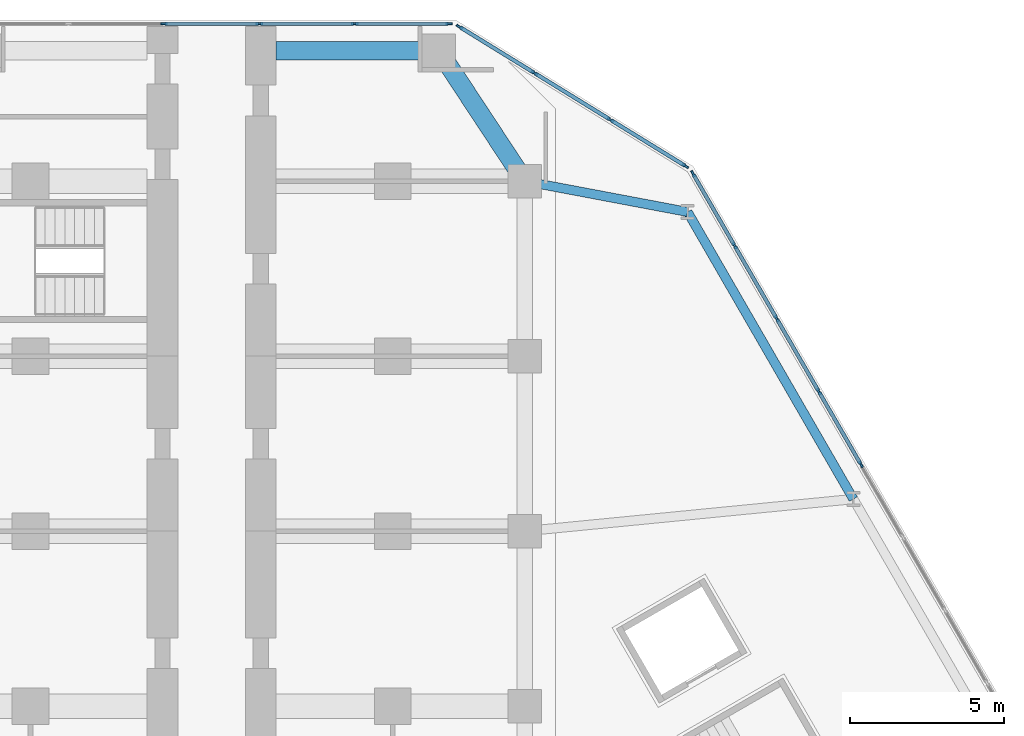
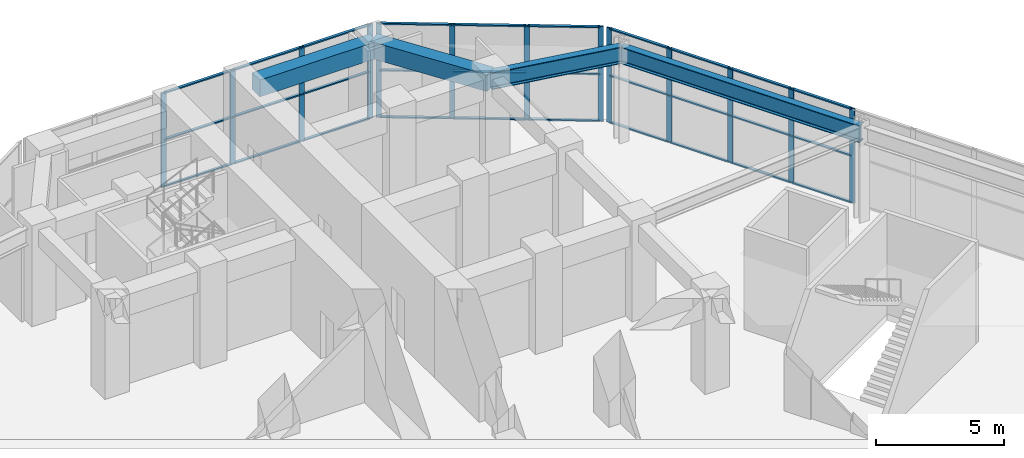
# One storey, part 10 of 21: 43 members, 4 beams, 3 elements without a shape of their own.
"""IFC4 building model written with IfcOpenShell, lengths in metres."""

from ifc_helpers import new_model, si_unit, direction, frame, origin, origin_2d, place, context, subcontext, project, spatial, rectangle, i_section, extrude, material, material_profile, profile_set, type_object, element, aggregate, save


model = new_model("IFC4")

# Units and contexts
model_context = context("Model", 3, precision=1e-05, world=origin(), true_north=direction((0.0, 1.0)))
body_context = subcontext(model_context, "Body", "Model", "MODEL_VIEW")
ifc_project = project(units=[si_unit("LENGTHUNIT", "METRE"), si_unit("AREAUNIT", "SQUARE_METRE"), si_unit("VOLUMEUNIT", "CUBIC_METRE"), si_unit("PLANEANGLEUNIT", "RADIAN"), si_unit("MASSUNIT", "GRAM", prefix="KILO")], contexts=[model_context])

# Site, building, storey
site_placement = place(None, origin())
site = spatial("IfcSite", under=ifc_project, at=site_placement, CompositionType="ELEMENT")
building_placement = place(site_placement, origin())
building = spatial("IfcBuilding", under=site, at=building_placement, Name="Kosmar Iwan School Tower", CompositionType="ELEMENT")
storey_placement = place(building_placement, frame((0.0, 0.0, 6.0)))
storey = spatial("IfcBuildingStorey", under=building, at=storey_placement, Name="L01", CompositionType="ELEMENT", Elevation=6.0)

# Beams
ifc_material_1 = material(Name="Steel S355", Category="steel")
ifc_material_profile_1 = material_profile(ifc_material_1, i_section(OverallWidth=0.300048828125, OverallDepth=0.800048828125, WebThickness=0.017578125, FlangeThickness=0.032958984375, FilletRadius=0.030029296875, at=origin_2d()), Name="HE 800 B")
ifc_profile_set_1 = profile_set([ifc_material_profile_1], Name="Steel S355")
beam_type_1 = type_object("IfcBeamType", Name="Infill edge beam HE 800 B", PredefinedType="BEAM", material=ifc_profile_set_1)
beam_1_placement = place(storey_placement, frame((10.199951171875, 29.35009765625, 4.10009765625), z_axis=(0.982642984394, -0.185506779446, 0.0), x_axis=(0.185506779446, 0.982642984394, 0.0)))
element("IfcBeam", 1, at=beam_1_placement, inside=storey, type_object=beam_type_1, Name="Infill edge beam AC1", PredefinedType="BEAM", context=body_context, shape_type="SweptSolid", body=[
    extrude(i_section(OverallWidth=0.300048828125, OverallDepth=0.800048828125, WebThickness=0.017578125, FlangeThickness=0.032958984375, FilletRadius=0.030029296875, at=origin_2d()), origin(), (0.0, 0.0, 1.0), 5.39599609375),
])
beam_2_placement = place(storey_placement, frame((15.502197265625, 28.34912109375, 4.10009765625), z_axis=(0.500012057535, -0.866018442252, 0.0), x_axis=(0.866018442252, 0.500012057535, 0.0)))
element("IfcBeam", 2, at=beam_2_placement, inside=storey, type_object=beam_type_1, Name="Infill edge beam AC2", PredefinedType="BEAM", context=body_context, shape_type="SweptSolid", body=[
    extrude(i_section(OverallWidth=0.300048828125, OverallDepth=0.800048828125, WebThickness=0.017578125, FlangeThickness=0.032958984375, FilletRadius=0.030029296875, at=origin_2d()), origin(), (0.0, 0.0, 1.0), 10.800048828125),
])

# Curtain wall, members
ifc_material_2 = material(Name="Dark glass in black aluminium frame", Category="aluminium")
curtain_wall_type_1 = type_object("IfcCurtainWallType", Name="Podium curtain wall", PredefinedType="USERDEFINED", material=ifc_material_2)
curtain_wall_1_placement = place(storey_placement, origin())
curtain_wall_1 = element("IfcCurtainWall", 3, at=curtain_wall_1_placement, inside=storey, type_object=curtain_wall_type_1, Name="Curtain wall L01-F04", ObjectType="STICK CURTAIN WALL", PredefinedType="USERDEFINED")
ifc_material_3 = material(Name="Black anodised aluminium", Category="aluminium")
ifc_material_profile_2 = material_profile(ifc_material_3, rectangle(XDim=0.06494140625, YDim=0.219970703125, at=origin_2d()), Name="MULLION 65x220")
ifc_profile_set_2 = profile_set([ifc_material_profile_2], Name="Black anodised aluminium")
member_type_1 = type_object("IfcMemberType", Name="Podium mullion 65x220", PredefinedType="MULLION", material=ifc_profile_set_2)
member_1_placement = place(storey_placement, frame((21.14697265625, 20.12255859375, 0.0), z_axis=(0.0, 0.0, 1.0), x_axis=(-0.866025390869, -0.50000002237, 0.0)))
member_1 = element("IfcMember", 4, at=member_1_placement, type_object=member_type_1, Name="CW3 mullion 10", PredefinedType="MULLION", context=body_context, shape_type="SweptSolid", body=[
    extrude(rectangle(XDim=0.06494140625, YDim=0.219970703125, at=origin_2d()), origin(), (0.0, 0.0, 1.0), 4.5),
])
member_2_placement = place(storey_placement, frame((19.776123046875, 22.49658203125, 0.0), z_axis=(0.0, 0.0, 1.0), x_axis=(-0.866025390869, -0.50000002237, 0.0)))
member_2 = element("IfcMember", 5, at=member_2_placement, type_object=member_type_1, Name="CW3 mullion 11", PredefinedType="MULLION", context=body_context, shape_type="SweptSolid", body=[
    extrude(rectangle(XDim=0.06494140625, YDim=0.219970703125, at=origin_2d()), origin(), (0.0, 0.0, 1.0), 4.5),
])
member_3_placement = place(storey_placement, frame((18.405517578125, 24.87060546875, 0.0), z_axis=(0.0, 0.0, 1.0), x_axis=(-0.866025390869, -0.50000002237, 0.0)))
member_3 = element("IfcMember", 6, at=member_3_placement, type_object=member_type_1, Name="CW3 mullion 12", PredefinedType="MULLION", context=body_context, shape_type="SweptSolid", body=[
    extrude(rectangle(XDim=0.06494140625, YDim=0.219970703125, at=origin_2d()), origin(), (0.0, 0.0, 1.0), 4.5),
])
member_4_placement = place(storey_placement, frame((17.034912109375, 27.24462890625, 0.0), z_axis=(0.0, 0.0, 1.0), x_axis=(-0.866025390869, -0.50000002237, 0.0)))
member_4 = element("IfcMember", 7, at=member_4_placement, type_object=member_type_1, Name="CW3 mullion 13", PredefinedType="MULLION", context=body_context, shape_type="SweptSolid", body=[
    extrude(rectangle(XDim=0.06494140625, YDim=0.219970703125, at=origin_2d()), origin(), (0.0, 0.0, 1.0), 4.5),
])
member_5_placement = place(storey_placement, frame((15.680419921875, 29.590576171875, 0.0), z_axis=(0.0, 0.0, 1.0), x_axis=(-0.866025390869, -0.50000002237, 0.0)))
member_5 = element("IfcMember", 8, at=member_5_placement, type_object=member_type_1, Name="CW3 mullion 14", PredefinedType="MULLION", context=body_context, shape_type="SweptSolid", body=[
    extrude(rectangle(XDim=0.06494140625, YDim=0.219970703125, at=origin_2d()), origin(), (0.0, 0.0, 1.0), 4.5),
])

curtain_wall_2_placement = place(storey_placement, origin())
curtain_wall_2 = element("IfcCurtainWall", 9, at=curtain_wall_2_placement, inside=storey, type_object=curtain_wall_type_1, Name="Curtain wall L01-F05", ObjectType="STICK CURTAIN WALL", PredefinedType="USERDEFINED")
member_6_placement = place(storey_placement, frame((15.433837890625, 29.84423828125, 0.0), z_axis=(0.0, 0.0, 1.0), x_axis=(-0.524381722801, -0.851483299186, 0.0)))
member_6 = element("IfcMember", 10, at=member_6_placement, type_object=member_type_1, Name="CW3 mullion 1", PredefinedType="MULLION", context=body_context, shape_type="SweptSolid", body=[
    extrude(rectangle(XDim=0.06494140625, YDim=0.219970703125, at=origin_2d()), origin(), (0.0, 0.0, 1.0), 4.5),
])
member_7_placement = place(storey_placement, frame((12.988525390625, 31.350341796875, 0.0), z_axis=(0.0, 0.0, 1.0), x_axis=(-0.524381722801, -0.851483299186, 0.0)))
member_7 = element("IfcMember", 11, at=member_7_placement, type_object=member_type_1, Name="CW3 mullion 2", PredefinedType="MULLION", context=body_context, shape_type="SweptSolid", body=[
    extrude(rectangle(XDim=0.06494140625, YDim=0.219970703125, at=origin_2d()), origin(), (0.0, 0.0, 1.0), 4.5),
])
member_8_placement = place(storey_placement, frame((10.515380859375, 32.873291015625, 0.0), z_axis=(0.0, 0.0, 1.0), x_axis=(-0.524381722801, -0.851483299186, 0.0)))
member_8 = element("IfcMember", 12, at=member_8_placement, type_object=member_type_1, Name="CW3 mullion 3", PredefinedType="MULLION", context=body_context, shape_type="SweptSolid", body=[
    extrude(rectangle(XDim=0.06494140625, YDim=0.219970703125, at=origin_2d()), origin(), (0.0, 0.0, 1.0), 4.5),
])
member_9_placement = place(storey_placement, frame((8.070068359375, 34.37939453125, 0.0), z_axis=(0.0, 0.0, 1.0), x_axis=(-0.524381722801, -0.851483299186, 0.0)))
member_9 = element("IfcMember", 13, at=member_9_placement, type_object=member_type_1, Name="CW3 mullion 4", PredefinedType="MULLION", context=body_context, shape_type="SweptSolid", body=[
    extrude(rectangle(XDim=0.06494140625, YDim=0.219970703125, at=origin_2d()), origin(), (0.0, 0.0, 1.0), 4.5),
])

ifc_material_4 = material(Name="Dark glass in black aluminium frame", Category="aluminium")
curtain_wall_type_2 = type_object("IfcCurtainWallType", Name="Tower curtain wall dark glass", PredefinedType="USERDEFINED", material=ifc_material_4)
curtain_wall_3_placement = place(storey_placement, origin())
curtain_wall_3 = element("IfcCurtainWall", 14, at=curtain_wall_3_placement, inside=storey, type_object=curtain_wall_type_2, Name="Curtain wall L01-F06", ObjectType="UNITISED CURTAIN WALL", PredefinedType="USERDEFINED")
member_10_placement = place(storey_placement, frame((7.732177734375, 34.47509765625, 0.0), z_axis=(0.0, 0.0, 1.0), x_axis=(0.0, -1.0, 0.0)))
member_10 = element("IfcMember", 15, at=member_10_placement, type_object=member_type_1, Name="CW1 mullion 1", PredefinedType="MULLION", context=body_context, shape_type="SweptSolid", body=[
    extrude(rectangle(XDim=0.06494140625, YDim=0.219970703125, at=origin_2d()), origin(), (0.0, 0.0, 1.0), 4.5),
])
member_11_placement = place(storey_placement, frame((4.65869140625, 34.47509765625, 0.0), z_axis=(0.0, 0.0, 1.0), x_axis=(0.0, -1.0, 0.0)))
member_11 = element("IfcMember", 16, at=member_11_placement, type_object=member_type_1, Name="CW1 mullion 2", PredefinedType="MULLION", context=body_context, shape_type="SweptSolid", body=[
    extrude(rectangle(XDim=0.06494140625, YDim=0.219970703125, at=origin_2d()), origin(), (0.0, 0.0, 1.0), 4.5),
])
member_12_placement = place(storey_placement, frame((1.552978515625, 34.47509765625, 0.0), z_axis=(0.0, 0.0, 1.0), x_axis=(0.0, -1.0, 0.0)))
member_12 = element("IfcMember", 17, at=member_12_placement, type_object=member_type_1, Name="CW1 mullion 3", PredefinedType="MULLION", context=body_context, shape_type="SweptSolid", body=[
    extrude(rectangle(XDim=0.06494140625, YDim=0.219970703125, at=origin_2d()), origin(), (0.0, 0.0, 1.0), 4.5),
])
member_13_placement = place(storey_placement, frame((-1.552978515625, 34.47509765625, 0.0), z_axis=(0.0, 0.0, 1.0), x_axis=(0.0, -1.0, 0.0)))
member_13 = element("IfcMember", 18, at=member_13_placement, type_object=member_type_1, Name="CW1 mullion 4", PredefinedType="MULLION", context=body_context, shape_type="SweptSolid", body=[
    extrude(rectangle(XDim=0.06494140625, YDim=0.219970703125, at=origin_2d()), origin(), (0.0, 0.0, 1.0), 4.5),
])

# Beams
ifc_material_5 = material(Name="Concrete C50/60", Category="concrete")
ifc_material_profile_3 = material_profile(ifc_material_5, rectangle(XDim=0.60009765625, YDim=0.800048828125, at=origin_2d()), Name="RC 600x800")
ifc_profile_set_3 = profile_set([ifc_material_profile_3], Name="Concrete C50/60")
beam_type_2 = type_object("IfcBeamType", Name="RC tip beam 600x800", PredefinedType="BEAM", material=ifc_profile_set_3)
beam_3_placement = place(storey_placement, frame((10.199951171875, 29.35009765625, 4.10009765625), z_axis=(-0.550164383043, 0.835056376319, 0.0), x_axis=(-0.835056376319, -0.550164383043, 0.0)))
element("IfcBeam", 19, at=beam_3_placement, inside=storey, type_object=beam_type_2, Name="Tip beam AR", PredefinedType="BEAM", context=body_context, shape_type="SweptSolid", body=[
    extrude(rectangle(XDim=0.60009765625, YDim=0.800048828125, at=origin_2d()), origin(), (0.0, 0.0, 1.0), 5.08935546875),
])
beam_4_placement = place(storey_placement, frame((7.39990234375, 33.60009765625, 4.10009765625), z_axis=(-1.0, 0.0, 0.0), x_axis=(0.0, -1.0, 0.0)))
element("IfcBeam", 20, at=beam_4_placement, inside=storey, type_object=beam_type_2, Name="Tip beam AR to corridor wall", PredefinedType="BEAM", context=body_context, shape_type="SweptSolid", body=[
    extrude(rectangle(XDim=0.60009765625, YDim=0.800048828125, at=origin_2d()), origin(), (0.0, 0.0, 1.0), 5.2998046875),
])

# Member
ifc_material_6 = material(Name="Black anodised aluminium", Category="aluminium")
ifc_material_profile_4 = material_profile(ifc_material_6, rectangle(XDim=0.1201171875, YDim=0.06005859375, at=origin_2d()), Name="TRANSOM 60x120")
ifc_profile_set_4 = profile_set([ifc_material_profile_4], Name="Black anodised aluminium")
member_type_2 = type_object("IfcMemberType", Name="Transom 60x120", PredefinedType="USERDEFINED", material=ifc_profile_set_4)
member_14_placement = place(storey_placement, frame((21.130615234375, 20.150634765625, 0.030029296875), z_axis=(-0.499975134057, 0.866039759667, 0.0), x_axis=(-0.866039759667, -0.499975134057, 0.0)))
member_14 = element("IfcMember", 21, at=member_14_placement, type_object=member_type_2, Name="CW3 transom 10.1", ObjectType="TRANSOM", PredefinedType="USERDEFINED", context=body_context, shape_type="SweptSolid", body=[
    extrude(rectangle(XDim=0.1201171875, YDim=0.06005859375, at=origin_2d()), origin(), (0.0, 0.0, 1.0), 2.676513671875),
])

member_15_placement = place(storey_placement, frame((21.130615234375, 20.150634765625, 2.25), z_axis=(-0.499975134057, 0.866039759667, 0.0), x_axis=(-0.866039759667, -0.499975134057, 0.0)))
member_15 = element("IfcMember", 22, at=member_15_placement, type_object=member_type_2, Name="CW3 transom 10.2", ObjectType="TRANSOM", PredefinedType="USERDEFINED", context=body_context, shape_type="SweptSolid", body=[
    extrude(rectangle(XDim=0.1201171875, YDim=0.06005859375, at=origin_2d()), origin(), (0.0, 0.0, 1.0), 2.676513671875),
])

member_16_placement = place(storey_placement, frame((21.130615234375, 20.150634765625, 4.469970703125), z_axis=(-0.499975134057, 0.866039759667, 0.0), x_axis=(-0.866039759667, -0.499975134057, 0.0)))
member_16 = element("IfcMember", 23, at=member_16_placement, type_object=member_type_2, Name="CW3 transom 10.3", ObjectType="TRANSOM", PredefinedType="USERDEFINED", context=body_context, shape_type="SweptSolid", body=[
    extrude(rectangle(XDim=0.1201171875, YDim=0.06005859375, at=origin_2d()), origin(), (0.0, 0.0, 1.0), 2.676513671875),
])

member_17_placement = place(storey_placement, frame((19.760009765625, 22.524658203125, 0.030029296875), z_axis=(-0.499975134057, 0.866039759667, 0.0), x_axis=(-0.866039759667, -0.499975134057, 0.0)))
member_17 = element("IfcMember", 24, at=member_17_placement, type_object=member_type_2, Name="CW3 transom 11.1", ObjectType="TRANSOM", PredefinedType="USERDEFINED", context=body_context, shape_type="SweptSolid", body=[
    extrude(rectangle(XDim=0.1201171875, YDim=0.06005859375, at=origin_2d()), origin(), (0.0, 0.0, 1.0), 2.676513671875),
])

member_18_placement = place(storey_placement, frame((19.760009765625, 22.524658203125, 2.25), z_axis=(-0.499975134057, 0.866039759667, 0.0), x_axis=(-0.866039759667, -0.499975134057, 0.0)))
member_18 = element("IfcMember", 25, at=member_18_placement, type_object=member_type_2, Name="CW3 transom 11.2", ObjectType="TRANSOM", PredefinedType="USERDEFINED", context=body_context, shape_type="SweptSolid", body=[
    extrude(rectangle(XDim=0.1201171875, YDim=0.06005859375, at=origin_2d()), origin(), (0.0, 0.0, 1.0), 2.676513671875),
])

member_19_placement = place(storey_placement, frame((19.760009765625, 22.524658203125, 4.469970703125), z_axis=(-0.499975134057, 0.866039759667, 0.0), x_axis=(-0.866039759667, -0.499975134057, 0.0)))
member_19 = element("IfcMember", 26, at=member_19_placement, type_object=member_type_2, Name="CW3 transom 11.3", ObjectType="TRANSOM", PredefinedType="USERDEFINED", context=body_context, shape_type="SweptSolid", body=[
    extrude(rectangle(XDim=0.1201171875, YDim=0.06005859375, at=origin_2d()), origin(), (0.0, 0.0, 1.0), 2.676513671875),
])

member_20_placement = place(storey_placement, frame((18.389404296875, 24.898681640625, 0.030029296875), z_axis=(-0.499975134057, 0.866039759667, 0.0), x_axis=(-0.866039759667, -0.499975134057, 0.0)))
member_20 = element("IfcMember", 27, at=member_20_placement, type_object=member_type_2, Name="CW3 transom 12.1", ObjectType="TRANSOM", PredefinedType="USERDEFINED", context=body_context, shape_type="SweptSolid", body=[
    extrude(rectangle(XDim=0.1201171875, YDim=0.06005859375, at=origin_2d()), origin(), (0.0, 0.0, 1.0), 2.676513671875),
])

member_21_placement = place(storey_placement, frame((18.389404296875, 24.898681640625, 2.25), z_axis=(-0.499975134057, 0.866039759667, 0.0), x_axis=(-0.866039759667, -0.499975134057, 0.0)))
member_21 = element("IfcMember", 28, at=member_21_placement, type_object=member_type_2, Name="CW3 transom 12.2", ObjectType="TRANSOM", PredefinedType="USERDEFINED", context=body_context, shape_type="SweptSolid", body=[
    extrude(rectangle(XDim=0.1201171875, YDim=0.06005859375, at=origin_2d()), origin(), (0.0, 0.0, 1.0), 2.676513671875),
])

member_22_placement = place(storey_placement, frame((18.389404296875, 24.898681640625, 4.469970703125), z_axis=(-0.499975134057, 0.866039759667, 0.0), x_axis=(-0.866039759667, -0.499975134057, 0.0)))
member_22 = element("IfcMember", 29, at=member_22_placement, type_object=member_type_2, Name="CW3 transom 12.3", ObjectType="TRANSOM", PredefinedType="USERDEFINED", context=body_context, shape_type="SweptSolid", body=[
    extrude(rectangle(XDim=0.1201171875, YDim=0.06005859375, at=origin_2d()), origin(), (0.0, 0.0, 1.0), 2.676513671875),
])

member_23_placement = place(storey_placement, frame((17.0185546875, 27.272705078125, 0.030029296875), z_axis=(-0.499932946999, 0.866064113392, 0.0), x_axis=(-0.866064113392, -0.499932946999, 0.0)))
member_23 = element("IfcMember", 30, at=member_23_placement, type_object=member_type_2, Name="CW3 transom 13.1", ObjectType="TRANSOM", PredefinedType="USERDEFINED", context=body_context, shape_type="SweptSolid", body=[
    extrude(rectangle(XDim=0.1201171875, YDim=0.06005859375, at=origin_2d()), origin(), (0.0, 0.0, 1.0), 2.643798828125),
])

member_24_placement = place(storey_placement, frame((17.0185546875, 27.272705078125, 2.25), z_axis=(-0.499932946999, 0.866064113392, 0.0), x_axis=(-0.866064113392, -0.499932946999, 0.0)))
member_24 = element("IfcMember", 31, at=member_24_placement, type_object=member_type_2, Name="CW3 transom 13.2", ObjectType="TRANSOM", PredefinedType="USERDEFINED", context=body_context, shape_type="SweptSolid", body=[
    extrude(rectangle(XDim=0.1201171875, YDim=0.06005859375, at=origin_2d()), origin(), (0.0, 0.0, 1.0), 2.643798828125),
])

member_25_placement = place(storey_placement, frame((17.0185546875, 27.272705078125, 4.469970703125), z_axis=(-0.499932946999, 0.866064113392, 0.0), x_axis=(-0.866064113392, -0.499932946999, 0.0)))
member_25 = element("IfcMember", 32, at=member_25_placement, type_object=member_type_2, Name="CW3 transom 13.3", ObjectType="TRANSOM", PredefinedType="USERDEFINED", context=body_context, shape_type="SweptSolid", body=[
    extrude(rectangle(XDim=0.1201171875, YDim=0.06005859375, at=origin_2d()), origin(), (0.0, 0.0, 1.0), 2.643798828125),
])

aggregate(curtain_wall_1, [member_1, member_2, member_3, member_4, member_5, member_14, member_15, member_16, member_17, member_18, member_19, member_20, member_21, member_22, member_23, member_24, member_25])

member_26_placement = place(storey_placement, frame((15.40625, 29.861328125, 0.030029296875), z_axis=(-0.851488054059, 0.52437400183, 0.0), x_axis=(-0.52437400183, -0.851488054059, 0.0)))
member_26 = element("IfcMember", 33, at=member_26_placement, type_object=member_type_2, Name="CW3 transom 1.1", ObjectType="TRANSOM", PredefinedType="USERDEFINED", context=body_context, shape_type="SweptSolid", body=[
    extrude(rectangle(XDim=0.1201171875, YDim=0.06005859375, at=origin_2d()), origin(), (0.0, 0.0, 1.0), 2.80712890625),
])

member_27_placement = place(storey_placement, frame((15.40625, 29.861328125, 2.25), z_axis=(-0.851488054059, 0.52437400183, 0.0), x_axis=(-0.52437400183, -0.851488054059, 0.0)))
member_27 = element("IfcMember", 34, at=member_27_placement, type_object=member_type_2, Name="CW3 transom 1.2", ObjectType="TRANSOM", PredefinedType="USERDEFINED", context=body_context, shape_type="SweptSolid", body=[
    extrude(rectangle(XDim=0.1201171875, YDim=0.06005859375, at=origin_2d()), origin(), (0.0, 0.0, 1.0), 2.80712890625),
])

member_28_placement = place(storey_placement, frame((15.40625, 29.861328125, 4.469970703125), z_axis=(-0.851488054059, 0.52437400183, 0.0), x_axis=(-0.52437400183, -0.851488054059, 0.0)))
member_28 = element("IfcMember", 35, at=member_28_placement, type_object=member_type_2, Name="CW3 transom 1.3", ObjectType="TRANSOM", PredefinedType="USERDEFINED", context=body_context, shape_type="SweptSolid", body=[
    extrude(rectangle(XDim=0.1201171875, YDim=0.06005859375, at=origin_2d()), origin(), (0.0, 0.0, 1.0), 2.80712890625),
])

member_29_placement = place(storey_placement, frame((12.960693359375, 31.367431640625, 0.030029296875), z_axis=(-0.85151066898, 0.524337277536, 0.0), x_axis=(-0.524337277536, -0.85151066898, 0.0)))
member_29 = element("IfcMember", 36, at=member_29_placement, type_object=member_type_2, Name="CW3 transom 2.1", ObjectType="TRANSOM", PredefinedType="USERDEFINED", context=body_context, shape_type="SweptSolid", body=[
    extrude(rectangle(XDim=0.1201171875, YDim=0.06005859375, at=origin_2d()), origin(), (0.0, 0.0, 1.0), 2.83935546875),
])

member_30_placement = place(storey_placement, frame((12.960693359375, 31.367431640625, 2.25), z_axis=(-0.85151066898, 0.524337277536, 0.0), x_axis=(-0.524337277536, -0.85151066898, 0.0)))
member_30 = element("IfcMember", 37, at=member_30_placement, type_object=member_type_2, Name="CW3 transom 2.2", ObjectType="TRANSOM", PredefinedType="USERDEFINED", context=body_context, shape_type="SweptSolid", body=[
    extrude(rectangle(XDim=0.1201171875, YDim=0.06005859375, at=origin_2d()), origin(), (0.0, 0.0, 1.0), 2.83935546875),
])

member_31_placement = place(storey_placement, frame((12.960693359375, 31.367431640625, 4.469970703125), z_axis=(-0.85151066898, 0.524337277536, 0.0), x_axis=(-0.524337277536, -0.85151066898, 0.0)))
member_31 = element("IfcMember", 38, at=member_31_placement, type_object=member_type_2, Name="CW3 transom 2.3", ObjectType="TRANSOM", PredefinedType="USERDEFINED", context=body_context, shape_type="SweptSolid", body=[
    extrude(rectangle(XDim=0.1201171875, YDim=0.06005859375, at=origin_2d()), origin(), (0.0, 0.0, 1.0), 2.83935546875),
])

member_32_placement = place(storey_placement, frame((10.48779296875, 32.890380859375, 0.030029296875), z_axis=(-0.851488054059, 0.52437400183, 0.0), x_axis=(-0.52437400183, -0.851488054059, 0.0)))
member_32 = element("IfcMember", 39, at=member_32_placement, type_object=member_type_2, Name="CW3 transom 3.1", ObjectType="TRANSOM", PredefinedType="USERDEFINED", context=body_context, shape_type="SweptSolid", body=[
    extrude(rectangle(XDim=0.1201171875, YDim=0.06005859375, at=origin_2d()), origin(), (0.0, 0.0, 1.0), 2.80712890625),
])

member_33_placement = place(storey_placement, frame((10.48779296875, 32.890380859375, 2.25), z_axis=(-0.851488054059, 0.52437400183, 0.0), x_axis=(-0.52437400183, -0.851488054059, 0.0)))
member_33 = element("IfcMember", 40, at=member_33_placement, type_object=member_type_2, Name="CW3 transom 3.2", ObjectType="TRANSOM", PredefinedType="USERDEFINED", context=body_context, shape_type="SweptSolid", body=[
    extrude(rectangle(XDim=0.1201171875, YDim=0.06005859375, at=origin_2d()), origin(), (0.0, 0.0, 1.0), 2.80712890625),
])

member_34_placement = place(storey_placement, frame((10.48779296875, 32.890380859375, 4.469970703125), z_axis=(-0.851488054059, 0.52437400183, 0.0), x_axis=(-0.52437400183, -0.851488054059, 0.0)))
member_34 = element("IfcMember", 41, at=member_34_placement, type_object=member_type_2, Name="CW3 transom 3.3", ObjectType="TRANSOM", PredefinedType="USERDEFINED", context=body_context, shape_type="SweptSolid", body=[
    extrude(rectangle(XDim=0.1201171875, YDim=0.06005859375, at=origin_2d()), origin(), (0.0, 0.0, 1.0), 2.80712890625),
])

aggregate(curtain_wall_2, [member_6, member_7, member_8, member_9, member_26, member_27, member_28, member_29, member_30, member_31, member_32, member_33, member_34])

member_35_placement = place(storey_placement, frame((7.69970703125, 34.47509765625, 0.030029296875), z_axis=(-1.0, 0.0, 0.0), x_axis=(0.0, -1.0, 0.0)))
member_35 = element("IfcMember", 42, at=member_35_placement, type_object=member_type_2, Name="CW1 transom 1.1", ObjectType="TRANSOM", PredefinedType="USERDEFINED", context=body_context, shape_type="SweptSolid", body=[
    extrude(rectangle(XDim=0.1201171875, YDim=0.06005859375, at=origin_2d()), origin(), (0.0, 0.0, 1.0), 3.008544921875),
])

member_36_placement = place(storey_placement, frame((7.69970703125, 34.47509765625, 2.25), z_axis=(-1.0, 0.0, 0.0), x_axis=(0.0, -1.0, 0.0)))
member_36 = element("IfcMember", 43, at=member_36_placement, type_object=member_type_2, Name="CW1 transom 1.2", ObjectType="TRANSOM", PredefinedType="USERDEFINED", context=body_context, shape_type="SweptSolid", body=[
    extrude(rectangle(XDim=0.1201171875, YDim=0.06005859375, at=origin_2d()), origin(), (0.0, 0.0, 1.0), 3.008544921875),
])

member_37_placement = place(storey_placement, frame((7.69970703125, 34.47509765625, 4.469970703125), z_axis=(-1.0, 0.0, 0.0), x_axis=(0.0, -1.0, 0.0)))
member_37 = element("IfcMember", 44, at=member_37_placement, type_object=member_type_2, Name="CW1 transom 1.3", ObjectType="TRANSOM", PredefinedType="USERDEFINED", context=body_context, shape_type="SweptSolid", body=[
    extrude(rectangle(XDim=0.1201171875, YDim=0.06005859375, at=origin_2d()), origin(), (0.0, 0.0, 1.0), 3.008544921875),
])

member_38_placement = place(storey_placement, frame((4.626220703125, 34.47509765625, 0.030029296875), z_axis=(-1.0, 0.0, 0.0), x_axis=(0.0, -1.0, 0.0)))
member_38 = element("IfcMember", 45, at=member_38_placement, type_object=member_type_2, Name="CW1 transom 2.1", ObjectType="TRANSOM", PredefinedType="USERDEFINED", context=body_context, shape_type="SweptSolid", body=[
    extrude(rectangle(XDim=0.1201171875, YDim=0.06005859375, at=origin_2d()), origin(), (0.0, 0.0, 1.0), 3.040771484375),
])

member_39_placement = place(storey_placement, frame((4.626220703125, 34.47509765625, 2.25), z_axis=(-1.0, 0.0, 0.0), x_axis=(0.0, -1.0, 0.0)))
member_39 = element("IfcMember", 46, at=member_39_placement, type_object=member_type_2, Name="CW1 transom 2.2", ObjectType="TRANSOM", PredefinedType="USERDEFINED", context=body_context, shape_type="SweptSolid", body=[
    extrude(rectangle(XDim=0.1201171875, YDim=0.06005859375, at=origin_2d()), origin(), (0.0, 0.0, 1.0), 3.040771484375),
])

member_40_placement = place(storey_placement, frame((4.626220703125, 34.47509765625, 4.469970703125), z_axis=(-1.0, 0.0, 0.0), x_axis=(0.0, -1.0, 0.0)))
member_40 = element("IfcMember", 47, at=member_40_placement, type_object=member_type_2, Name="CW1 transom 2.3", ObjectType="TRANSOM", PredefinedType="USERDEFINED", context=body_context, shape_type="SweptSolid", body=[
    extrude(rectangle(XDim=0.1201171875, YDim=0.06005859375, at=origin_2d()), origin(), (0.0, 0.0, 1.0), 3.040771484375),
])

member_41_placement = place(storey_placement, frame((1.5205078125, 34.47509765625, 0.030029296875), z_axis=(-1.0, 0.0, 0.0), x_axis=(0.0, -1.0, 0.0)))
member_41 = element("IfcMember", 48, at=member_41_placement, type_object=member_type_2, Name="CW1 transom 3.1", ObjectType="TRANSOM", PredefinedType="USERDEFINED", context=body_context, shape_type="SweptSolid", body=[
    extrude(rectangle(XDim=0.1201171875, YDim=0.06005859375, at=origin_2d()), origin(), (0.0, 0.0, 1.0), 3.041015625),
])

member_42_placement = place(storey_placement, frame((1.5205078125, 34.47509765625, 2.25), z_axis=(-1.0, 0.0, 0.0), x_axis=(0.0, -1.0, 0.0)))
member_42 = element("IfcMember", 49, at=member_42_placement, type_object=member_type_2, Name="CW1 transom 3.2", ObjectType="TRANSOM", PredefinedType="USERDEFINED", context=body_context, shape_type="SweptSolid", body=[
    extrude(rectangle(XDim=0.1201171875, YDim=0.06005859375, at=origin_2d()), origin(), (0.0, 0.0, 1.0), 3.041015625),
])

member_43_placement = place(storey_placement, frame((1.5205078125, 34.47509765625, 4.469970703125), z_axis=(-1.0, 0.0, 0.0), x_axis=(0.0, -1.0, 0.0)))
member_43 = element("IfcMember", 50, at=member_43_placement, type_object=member_type_2, Name="CW1 transom 3.3", ObjectType="TRANSOM", PredefinedType="USERDEFINED", context=body_context, shape_type="SweptSolid", body=[
    extrude(rectangle(XDim=0.1201171875, YDim=0.06005859375, at=origin_2d()), origin(), (0.0, 0.0, 1.0), 3.041015625),
])

aggregate(curtain_wall_3, [member_10, member_11, member_12, member_13, member_35, member_36, member_37, member_38, member_39, member_40, member_41, member_42, member_43])

save(model, "model.ifc")
